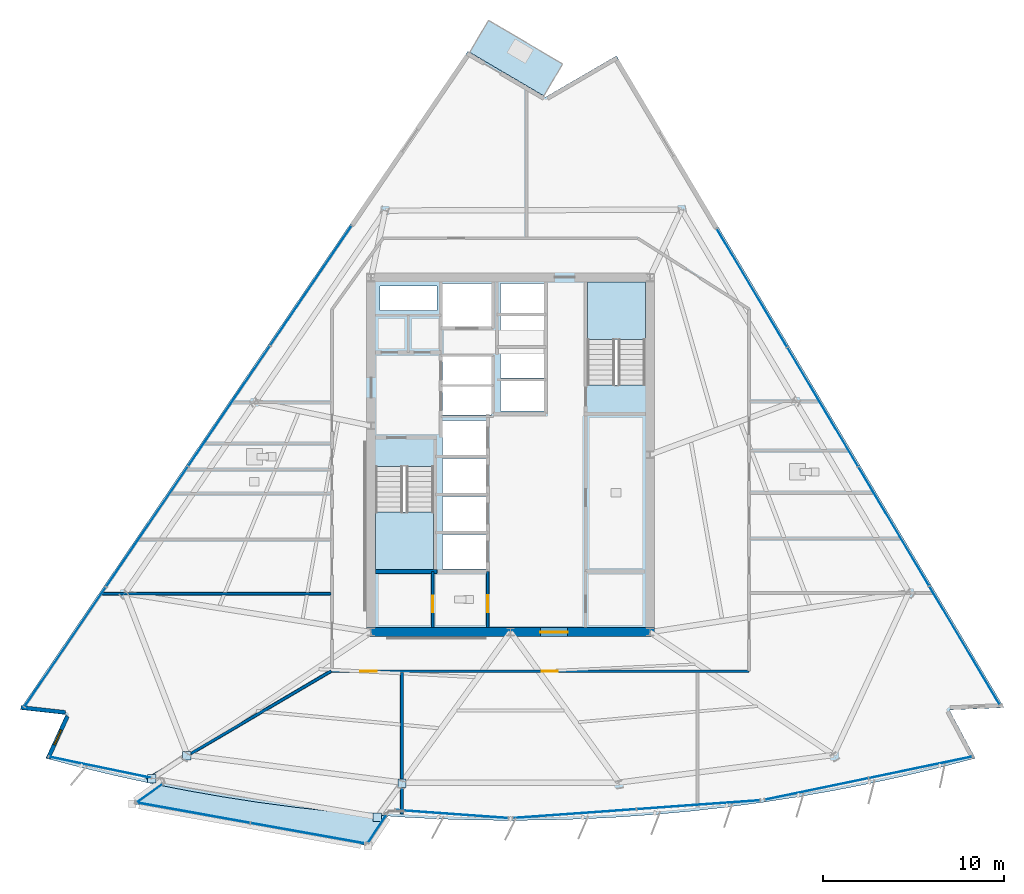
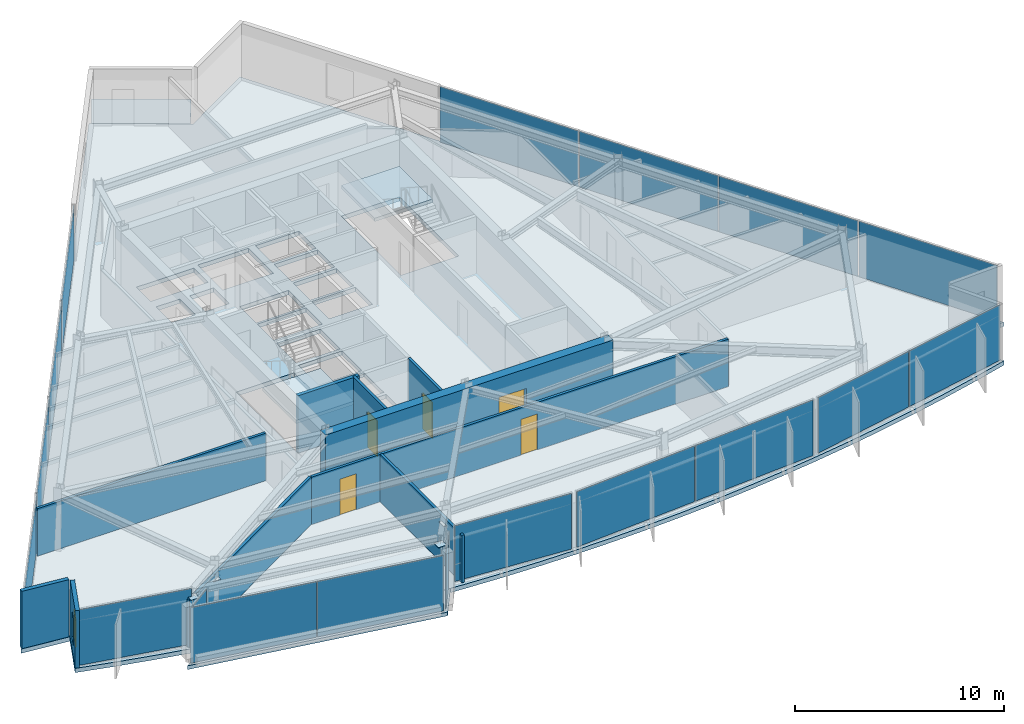
# One storey, part 8 of 16: 22 plates, 10 walls, 5 doors, 5 slabs, 1 window, 6 openings, 11 elements without a shape of their own.
"""IFC4 building model written with IfcOpenShell, lengths in metres."""

from ifc_helpers import new_model, si_unit, direction, frame, frame_2d, origin, origin_2d, place, context, subcontext, project, spatial, polyline, rectangle, outline, extrude, material, layer, layer_set, type_object, element, fill, aggregate, save


model = new_model("IFC4")

# Units and contexts
model_context = context("Model", 3, precision=1e-05, world=origin(), true_north=direction((0.0, 1.0)))
body_context = subcontext(model_context, "Body", "Model", "MODEL_VIEW")
ifc_project = project(units=[si_unit("LENGTHUNIT", "METRE"), si_unit("AREAUNIT", "SQUARE_METRE"), si_unit("VOLUMEUNIT", "CUBIC_METRE"), si_unit("PLANEANGLEUNIT", "RADIAN"), si_unit("MASSUNIT", "GRAM", prefix="KILO")], contexts=[model_context])

# Site, building, storey
site_placement = place(None, origin())
site = spatial("IfcSite", under=ifc_project, at=site_placement, CompositionType="ELEMENT")
building_placement = place(site_placement, origin())
building = spatial("IfcBuilding", under=site, at=building_placement, Name="Savorim Split Tower", CompositionType="ELEMENT")
storey_placement = place(building_placement, frame((0.0, 0.0, 149.39990234375)))
storey = spatial("IfcBuildingStorey", under=building, at=storey_placement, Name="L39", CompositionType="ELEMENT", Elevation=149.39990234375)

# Curtain wall, plate
ifc_material_1 = material(Name="Dark Ceramic-Fritted Insulated Glass", Category="glass")
curtain_wall_type_1 = type_object("IfcCurtainWallType", Name="CW-TWR-FRIT-B", PredefinedType="NOTDEFINED", material=ifc_material_1)
curtain_wall_1_placement = place(storey_placement, origin())
curtain_wall_1 = element("IfcCurtainWall", 1, at=curtain_wall_1_placement, inside=storey, type_object=curtain_wall_type_1, Name="L39 Curtain Wall CW-L39-SF1A", PredefinedType="NOTDEFINED")
ifc_layer_1 = layer(ifc_material_1, 0.02587890625)
ifc_layer_set_1 = layer_set([ifc_layer_1], Name="CWP-FRITB-26")
plate_type_1 = type_object("IfcPlateType", Name="CWP-FRITB-26", PredefinedType="CURTAIN_PANEL", material=ifc_layer_set_1)
plate_1_placement = place(storey_placement, frame((-22.677734375, -16.865478515625, 0.050048828125), z_axis=(0.0, 0.0, 1.0), x_axis=(0.979134349146, -0.203213991452, 0.0)))
plate_1 = element("IfcPlate", 2, at=plate_1_placement, type_object=plate_type_1, Name="CW-03 panel 1.1", PredefinedType="CURTAIN_PANEL", context=body_context, shape_type="SweptSolid", body=[
    extrude(rectangle(XDim=5.749755859375, YDim=0.02587890625, at=origin_2d()), origin(), (0.0, 0.0, 1.0), 3.25),
])
aggregate(curtain_wall_1, [plate_1])

curtain_wall_2_placement = place(storey_placement, origin())
curtain_wall_2 = element("IfcCurtainWall", 3, at=curtain_wall_2_placement, inside=storey, type_object=curtain_wall_type_1, Name="L39 Curtain Wall CW-L39-SF2A", PredefinedType="NOTDEFINED")
plate_2_placement = place(storey_placement, frame((-3.245361328125, -19.448486328125, 0.050048828125), z_axis=(0.0, 0.0, 1.0), x_axis=(0.99743512969, -0.071576267442, 0.0)))
plate_2 = element("IfcPlate", 4, at=plate_2_placement, type_object=plate_type_1, Name="CW-03 panel 1.1", PredefinedType="CURTAIN_PANEL", context=body_context, shape_type="SweptSolid", body=[
    extrude(rectangle(XDim=6.204833984375, YDim=0.02587890625, at=origin_2d()), origin(), (0.0, 0.0, 1.0), 3.25),
])
aggregate(curtain_wall_2, [plate_2])

# Curtain wall, plates
curtain_wall_3_placement = place(storey_placement, origin())
curtain_wall_3 = element("IfcCurtainWall", 5, at=curtain_wall_3_placement, inside=storey, type_object=curtain_wall_type_1, Name="L39 Curtain Wall CW-L39-SF3A", PredefinedType="NOTDEFINED")
plate_3_placement = place(storey_placement, frame((3.54150390625, -19.42724609375, 0.050048828125), z_axis=(0.0, 0.0, 1.0), x_axis=(0.997436100249, 0.071562741149, 0.0)))
plate_3 = element("IfcPlate", 6, at=plate_3_placement, type_object=plate_type_1, Name="CW-03 panel 1.1", PredefinedType="CURTAIN_PANEL", context=body_context, shape_type="SweptSolid", body=[
    extrude(rectangle(XDim=6.79833984375, YDim=0.02587890625, at=origin_2d()), origin(), (0.0, 0.0, 1.0), 3.25),
])
plate_4_placement = place(storey_placement, frame((10.38232421875, -18.9365234375, 0.050048828125), z_axis=(0.0, 0.0, 1.0), x_axis=(0.997436100249, 0.071562741149, 0.0)))
plate_4 = element("IfcPlate", 7, at=plate_4_placement, type_object=plate_type_1, Name="CW-03 panel 2.1", PredefinedType="CURTAIN_PANEL", context=body_context, shape_type="SweptSolid", body=[
    extrude(rectangle(XDim=6.79833984375, YDim=0.02587890625, at=origin_2d()), origin(), (0.0, 0.0, 1.0), 3.25),
])
aggregate(curtain_wall_3, [plate_3, plate_4])

curtain_wall_4_placement = place(storey_placement, origin())
curtain_wall_4 = element("IfcCurtainWall", 8, at=curtain_wall_4_placement, inside=storey, type_object=curtain_wall_type_1, Name="L39 Curtain Wall CW-L39-SF4A", PredefinedType="NOTDEFINED")
plate_5_placement = place(storey_placement, frame((16.913330078125, -18.06201171875, 0.050048828125), z_axis=(0.0, 0.0, 1.0), x_axis=(0.979134697741, 0.20321231183, 0.0)))
plate_5 = element("IfcPlate", 9, at=plate_5_placement, type_object=plate_type_1, Name="CW-03 panel 1.1", PredefinedType="CURTAIN_PANEL", context=body_context, shape_type="SweptSolid", body=[
    extrude(rectangle(XDim=5.80126953125, YDim=0.02587890625, at=origin_2d()), origin(), (0.0, 0.0, 1.0), 3.25),
])
plate_6_placement = place(storey_placement, frame((22.65234375, -16.870849609375, 0.050048828125), z_axis=(0.0, 0.0, 1.0), x_axis=(0.979134697741, 0.20321231183, 0.0)))
plate_6 = element("IfcPlate", 10, at=plate_6_placement, type_object=plate_type_1, Name="CW-03 panel 2.1", PredefinedType="CURTAIN_PANEL", context=body_context, shape_type="SweptSolid", body=[
    extrude(rectangle(XDim=5.80126953125, YDim=0.02587890625, at=origin_2d()), origin(), (0.0, 0.0, 1.0), 3.25),
])
aggregate(curtain_wall_4, [plate_5, plate_6])

curtain_wall_5_placement = place(storey_placement, origin())
curtain_wall_5 = element("IfcCurtainWall", 11, at=curtain_wall_5_placement, inside=storey, type_object=curtain_wall_type_1, Name="L39 Curtain Wall CW-L39-EAST", PredefinedType="NOTDEFINED")
plate_7_placement = place(storey_placement, frame((25.08154296875, -10.132568359375, 0.050048828125), z_axis=(0.0, 0.0, 1.0), x_axis=(-0.511091470039, 0.859526328423, 0.0)))
plate_7 = element("IfcPlate", 12, at=plate_7_placement, type_object=plate_type_1, Name="CW-03 panel 1.1", PredefinedType="CURTAIN_PANEL", context=body_context, shape_type="SweptSolid", body=[
    extrude(rectangle(XDim=7.579345703125, YDim=0.02587890625, at=origin_2d()), origin(), (0.0, 0.0, 1.0), 3.25),
])
plate_8_placement = place(storey_placement, frame((21.169677734375, -3.553466796875, 0.050048828125), z_axis=(0.0, 0.0, 1.0), x_axis=(-0.511091470039, 0.859526328423, 0.0)))
plate_8 = element("IfcPlate", 13, at=plate_8_placement, type_object=plate_type_1, Name="CW-03 panel 2.1", PredefinedType="CURTAIN_PANEL", context=body_context, shape_type="SweptSolid", body=[
    extrude(rectangle(XDim=7.609130859375, YDim=0.02587890625, at=origin_2d()), origin(), (0.0, 0.0, 1.0), 3.25),
])
plate_9_placement = place(storey_placement, frame((17.25, 3.038330078125, 0.050048828125), z_axis=(0.0, 0.0, 1.0), x_axis=(-0.511091470039, 0.859526328423, 0.0)))
plate_9 = element("IfcPlate", 14, at=plate_9_placement, type_object=plate_type_1, Name="CW-03 panel 3.1", PredefinedType="CURTAIN_PANEL", context=body_context, shape_type="SweptSolid", body=[
    extrude(rectangle(XDim=7.609130859375, YDim=0.02587890625, at=origin_2d()), origin(), (0.0, 0.0, 1.0), 3.25),
])
plate_10_placement = place(storey_placement, frame((13.337890625, 9.617431640625, 0.050048828125), z_axis=(0.0, 0.0, 1.0), x_axis=(-0.511091470039, 0.859526328423, 0.0)))
plate_10 = element("IfcPlate", 15, at=plate_10_placement, type_object=plate_type_1, Name="CW-03 panel 4.1", PredefinedType="CURTAIN_PANEL", context=body_context, shape_type="SweptSolid", body=[
    extrude(rectangle(XDim=7.579345703125, YDim=0.02587890625, at=origin_2d()), origin(), (0.0, 0.0, 1.0), 3.25),
])
aggregate(curtain_wall_5, [plate_7, plate_8, plate_9, plate_10])

curtain_wall_6_placement = place(storey_placement, origin())
curtain_wall_6 = element("IfcCurtainWall", 16, at=curtain_wall_6_placement, inside=storey, type_object=curtain_wall_type_1, Name="L39 Curtain Wall CW-L39-WEST", PredefinedType="NOTDEFINED")
plate_11_placement = place(storey_placement, frame((-11.0244140625, 9.73828125, 0.050048828125), z_axis=(0.0, 0.0, 1.0), x_axis=(-0.562466456356, -0.826820104662, 0.0)))
plate_11 = element("IfcPlate", 17, at=plate_11_placement, type_object=plate_type_1, Name="CW-03 panel 1.1", PredefinedType="CURTAIN_PANEL", context=body_context, shape_type="SweptSolid", body=[
    extrude(rectangle(XDim=7.965576171875, YDim=0.02587890625, at=origin_2d()), origin(), (0.0, 0.0, 1.0), 3.25),
])
plate_12_placement = place(storey_placement, frame((-15.547119140625, 3.090087890625, 0.050048828125), z_axis=(0.0, 0.0, 1.0), x_axis=(-0.562466456356, -0.826820104662, 0.0)))
plate_12 = element("IfcPlate", 18, at=plate_12_placement, type_object=plate_type_1, Name="CW-03 panel 2.1", PredefinedType="CURTAIN_PANEL", context=body_context, shape_type="SweptSolid", body=[
    extrude(rectangle(XDim=7.99560546875, YDim=0.02587890625, at=origin_2d()), origin(), (0.0, 0.0, 1.0), 3.25),
])
plate_13_placement = place(storey_placement, frame((-20.077880859375, -3.5703125, 0.050048828125), z_axis=(0.0, 0.0, 1.0), x_axis=(-0.562466456356, -0.826820104662, 0.0)))
plate_13 = element("IfcPlate", 19, at=plate_13_placement, type_object=plate_type_1, Name="CW-03 panel 3.1", PredefinedType="CURTAIN_PANEL", context=body_context, shape_type="SweptSolid", body=[
    extrude(rectangle(XDim=7.99560546875, YDim=0.02587890625, at=origin_2d()), origin(), (0.0, 0.0, 1.0), 3.25),
])
plate_14_placement = place(storey_placement, frame((-24.6005859375, -10.218505859375, 0.050048828125), z_axis=(0.0, 0.0, 1.0), x_axis=(-0.562466456356, -0.826820104662, 0.0)))
plate_14 = element("IfcPlate", 20, at=plate_14_placement, type_object=plate_type_1, Name="CW-03 panel 4.1", PredefinedType="CURTAIN_PANEL", context=body_context, shape_type="SweptSolid", body=[
    extrude(rectangle(XDim=7.965576171875, YDim=0.02587890625, at=origin_2d()), origin(), (0.0, 0.0, 1.0), 3.25),
])
aggregate(curtain_wall_6, [plate_11, plate_12, plate_13, plate_14])

curtain_wall_type_2 = type_object("IfcCurtainWallType", Name="CW-BAY-LOUNGE", PredefinedType="NOTDEFINED", material=ifc_material_1)
curtain_wall_7_placement = place(storey_placement, origin())
curtain_wall_7 = element("IfcCurtainWall", 21, at=curtain_wall_7_placement, inside=storey, type_object=curtain_wall_type_2, Name="L39 Curtain Wall CW-L39-BAYF", PredefinedType="NOTDEFINED")
ifc_material_2 = material(Name="Low-E Operable Double Glazing", Category="glass")
ifc_layer_2 = layer(ifc_material_2, 0.031982421875)
ifc_layer_set_2 = layer_set([ifc_layer_2], Name="CWP-POD-32")
plate_type_2 = type_object("IfcPlateType", Name="CWP-POD-32", PredefinedType="CURTAIN_PANEL", material=ifc_layer_set_2)
plate_15_placement = place(storey_placement, frame((-17.5537109375, -19.37158203125, 0.05517578125), z_axis=(0.0, 0.0, 1.0), x_axis=(0.984304905736, -0.17647620957, 0.0)))
plate_15 = element("IfcPlate", 22, at=plate_15_placement, type_object=plate_type_2, Name="CW-04 panel 1.1", PredefinedType="CURTAIN_PANEL", context=body_context, shape_type="SweptSolid", body=[
    extrude(rectangle(XDim=6.40185546875, YDim=0.031982421875, at=origin_2d()), origin(), (0.0, 0.0, 1.0), 3.239990234375),
])
plate_16_placement = place(storey_placement, frame((-11.188232421875, -20.512939453125, 0.05517578125), z_axis=(0.0, 0.0, 1.0), x_axis=(0.984304905736, -0.17647620957, 0.0)))
plate_16 = element("IfcPlate", 23, at=plate_16_placement, type_object=plate_type_2, Name="CW-04 panel 2.1", PredefinedType="CURTAIN_PANEL", context=body_context, shape_type="SweptSolid", body=[
    extrude(rectangle(XDim=6.40185546875, YDim=0.031982421875, at=origin_2d()), origin(), (0.0, 0.0, 1.0), 3.239990234375),
])
aggregate(curtain_wall_7, [plate_15, plate_16])

# Curtain wall, plate
curtain_wall_8_placement = place(storey_placement, origin())
curtain_wall_8 = element("IfcCurtainWall", 24, at=curtain_wall_8_placement, inside=storey, type_object=curtain_wall_type_2, Name="L39 Curtain Wall CW-L39-BAYW", PredefinedType="NOTDEFINED")
plate_17_placement = place(storey_placement, frame((-19.933837890625, -18.299560546875, 0.05517578125), z_axis=(0.0, 0.0, 1.0), x_axis=(-0.812564621302, -0.582871114578, 0.0)))
plate_17 = element("IfcPlate", 25, at=plate_17_placement, type_object=plate_type_2, Name="CW-04 panel 1.1", PredefinedType="CURTAIN_PANEL", context=body_context, shape_type="SweptSolid", body=[
    extrude(rectangle(XDim=1.705078125, YDim=0.031982421875, at=origin_2d()), origin(), (0.0, 0.0, 1.0), 3.239990234375),
])
aggregate(curtain_wall_8, [plate_17])

curtain_wall_9_placement = place(storey_placement, origin())
curtain_wall_9 = element("IfcCurtainWall", 26, at=curtain_wall_9_placement, inside=storey, type_object=curtain_wall_type_2, Name="L39 Curtain Wall CW-L39-BAYE", PredefinedType="NOTDEFINED")
plate_18_placement = place(storey_placement, frame((-7.36279296875, -20.26318359375, 0.05517578125), z_axis=(0.0, 0.0, 1.0), x_axis=(0.554712091952, 0.832042363731, 0.0)))
plate_18 = element("IfcPlate", 27, at=plate_18_placement, type_object=plate_type_2, Name="CW-04 panel 1.1", PredefinedType="CURTAIN_PANEL", context=body_context, shape_type="SweptSolid", body=[
    extrude(rectangle(XDim=1.809814453125, YDim=0.031982421875, at=origin_2d()), origin(), (0.0, 0.0, 1.0), 3.239990234375),
])
aggregate(curtain_wall_9, [plate_18])

# Plates
ifc_material_3 = material(Name="Steel S460", Category="steel")
ifc_layer_3 = layer(ifc_material_3, 0.02490234375)
ifc_layer_set_3 = layer_set([ifc_layer_3], Name="PLT-NODE-CN1")
plate_type_3 = type_object("IfcPlateType", Name="PLT-NODE-CN1", PredefinedType="SHEET", material=ifc_layer_set_3)
for number, where, z_axis, x_axis, name in (
    (28, (-17.88232421875, -16.2255859375, 2.437744140625), (0.0, 0.0, 1.0), (1.0, 0.0, 0.0), "L39 Bay Strut Column Gusset Plate 1"),
    (29, (-19.812744140625, -17.492919921875, 2.8076171875), (0.0, 0.0, 1.0), (1.0, 0.0, 0.0), "L39 Bay Strut Tip Gusset Plate 1"),
    (30, (-5.993408203125, -17.752197265625, 2.437744140625), (0.0, 0.0, 1.0), (1.0, 0.0, 0.0), "L39 Bay Strut Column Gusset Plate 2"),
    (31, (-7.358642578125, -19.61865234375, 2.8076171875), (0.0, 0.0, 1.0), (1.0, 0.0, 0.0), "L39 Bay Strut Tip Gusset Plate 2"),
):
    element("IfcPlate", number, at=place(storey_placement, frame(where, z_axis=z_axis, x_axis=x_axis)), inside=storey, type_object=plate_type_3, Name=name, PredefinedType="SHEET", context=body_context, shape_type="SweptSolid", body=[
        extrude(rectangle(XDim=0.4599609375, YDim=0.4599609375, at=origin_2d()), origin(), (0.0, 0.0, 1.0), 0.02490234375),
    ])

# Slabs
ifc_material_4 = material(Name="Concrete C50/60", Category="concrete")
ifc_layer_4 = layer(ifc_material_4, 0.219970703125)
ifc_layer_set_4 = layer_set([ifc_layer_4], Name="SLB-BAL-220")
slab_type_1 = type_object("IfcSlabType", Name="SLB-BAL-220", PredefinedType="FLOOR", material=ifc_layer_set_4)
slab_1_placement = place(storey_placement, frame((0.0, 0.0, -0.219970703125)))
element("IfcSlab", 32, at=slab_1_placement, inside=storey, type_object=slab_type_1, Name="L39 Cantilevered Shared Kitchen Lounge Slab", PredefinedType="FLOOR", context=body_context, shape_type="SweptSolid", body=[
    extrude(outline(polyline([(-6.774658203125, -19.561279296875), (-7.984619140625, -19.474609375), (-9.974609375, -19.291015625), (-11.960205078125, -19.06640625), (-13.94091796875, -18.801513671875), (-15.915771484375, -18.495849609375), (-17.8837890625, -18.150146484375), (-19.46337890625, -17.839111328125), (-20.904296875, -18.87255859375), (-7.873046875, -21.208984375), (-6.774658203125, -19.561279296875)])), origin(), (0.0, 0.0, 1.0), 0.219970703125),
])
slab_2_placement = place(storey_placement, frame((0.0, 0.0, -0.219970703125)))
element("IfcSlab", 33, at=slab_2_placement, inside=storey, type_object=slab_type_1, Name="L39 Notched Corner Planted Tree Balcony Slab", PredefinedType="FLOOR", context=body_context, shape_type="SweptSolid", body=[
    extrude(outline(polyline([(-2.252197265625, 22.634521484375), (1.842529296875, 20.227783203125), (2.87890625, 21.990966796875), (-1.2158203125, 24.397705078125), (-2.252197265625, 22.634521484375)])), origin(), (0.0, 0.0, 1.0), 0.219970703125),
])

# Stair, slab
stair_type = type_object("IfcStairType", Name="STR-DOG-3600", PredefinedType="HALF_TURN_STAIR", material=ifc_material_4)
stair_1_placement = place(storey_placement, origin())
stair_1 = element("IfcStair", 34, at=stair_1_placement, inside=storey, type_object=stair_type, Name="L39 Core Protected Exit Stair ST-1", PredefinedType="HALF_TURN_STAIR")
ifc_layer_5 = layer(ifc_material_4, 0.199951171875)
ifc_layer_set_5 = layer_set([ifc_layer_5], Name="SLB-LND-200")
slab_type_2 = type_object("IfcSlabType", Name="SLB-LND-200", PredefinedType="LANDING", material=ifc_layer_set_5)
slab_3_placement = place(storey_placement, frame((0.0, 0.0, 1.60009765625)))
slab_3 = element("IfcSlab", 35, at=slab_3_placement, type_object=slab_type_2, Name="ST-1 landing 1", PredefinedType="LANDING", context=body_context, shape_type="SweptSolid", body=[
    extrude(outline(polyline([(-7.449951171875, -2.77001953125), (-7.449951171875, -5.949951171875), (-4.25, -5.949951171875), (-4.25, -2.77001953125), (-7.449951171875, -2.77001953125)])), origin(), (0.0, 0.0, 1.0), 0.199951171875),
])
aggregate(stair_1, [slab_3])

stair_2_placement = place(storey_placement, origin())
stair_2 = element("IfcStair", 36, at=stair_2_placement, inside=storey, type_object=stair_type, Name="L39 Core Protected Exit Stair ST-2", PredefinedType="HALF_TURN_STAIR")
slab_4_placement = place(storey_placement, frame((0.0, 0.0, 1.60009765625)))
slab_4 = element("IfcSlab", 37, at=slab_4_placement, type_object=slab_type_2, Name="ST-2 landing 1", PredefinedType="LANDING", context=body_context, shape_type="SweptSolid", body=[
    extrude(outline(polyline([(7.449951171875, 6.77001953125), (7.449951171875, 9.949951171875), (4.25, 9.949951171875), (4.25, 6.77001953125), (7.449951171875, 6.77001953125)])), origin(), (0.0, 0.0, 1.0), 0.199951171875),
])
aggregate(stair_2, [slab_4])

# Slab
ifc_layer_6 = layer(ifc_material_4, 0.25)
ifc_layer_set_6 = layer_set([ifc_layer_6], Name="SLB-TWR-250")
slab_type_3 = type_object("IfcSlabType", Name="SLB-TWR-250", PredefinedType="FLOOR", material=ifc_layer_set_6)
slab_5_placement = place(storey_placement, frame((0.0, 0.0, -0.25)))
element("IfcSlab", 38, at=slab_5_placement, inside=storey, type_object=slab_type_3, Name="L39 Structural Floor Slab", PredefinedType="FLOOR", context=body_context, shape_type="SweptSolid", body=[
    extrude(outline(polyline([(-25.673583984375, -16.366455078125), (-23.740234375, -16.8720703125), (-21.797119140625, -17.337890625), (-19.844482421875, -17.763916015625), (-17.8837890625, -18.150146484375), (-15.915771484375, -18.495849609375), (-13.94091796875, -18.801513671875), (-11.960205078125, -19.06640625), (-9.974609375, -19.291015625), (-7.984619140625, -19.474609375), (-5.991455078125, -19.61767578125), (-3.99560546875, -19.7197265625), (-1.998291015625, -19.78125), (0.0, -19.801513671875), (1.998291015625, -19.78125), (3.99560546875, -19.7197265625), (5.991455078125, -19.61767578125), (7.984619140625, -19.474609375), (9.974609375, -19.291015625), (11.960205078125, -19.06640625), (13.94091796875, -18.801513671875), (15.915771484375, -18.495849609375), (17.8837890625, -18.150146484375), (19.844482421875, -17.763916015625), (21.797119140625, -17.337890625), (23.740234375, -16.8720703125), (25.673583984375, -16.366455078125), (24.24169921875, -13.69775390625), (27.2646484375, -13.569091796875), (5.852294921875, 22.44091796875), (1.943603515625, 20.162841796875), (-2.358154296875, 22.69091796875), (-27.097412109375, -13.675537109375), (-24.567138671875, -13.9580078125), (-25.673583984375, -16.366455078125)]), holes=[polyline([(-7.449951171875, -0.25390625), (-7.449951171875, -5.949951171875), (-4.25, -5.949951171875), (-4.25, -0.25390625), (-7.449951171875, -0.25390625)]), polyline([(7.449951171875, 4.25390625), (7.449951171875, 9.949951171875), (4.25, 9.949951171875), (4.25, 4.25390625), (7.449951171875, 4.25390625)]), polyline([(-3.75, -5.89990234375), (-1.35009765625, -5.89990234375), (-1.35009765625, -4.0), (-3.75, -4.0), (-3.75, -5.89990234375)]), polyline([(-3.75, -3.800048828125), (-1.35009765625, -3.800048828125), (-1.35009765625, -1.89990234375), (-3.75, -1.89990234375), (-3.75, -3.800048828125)]), polyline([(-3.75, -1.699951171875), (-1.35009765625, -1.699951171875), (-1.35009765625, 0.199951171875), (-3.75, 0.199951171875), (-3.75, -1.699951171875)]), polyline([(-3.75, 0.39990234375), (-1.35009765625, 0.39990234375), (-1.35009765625, 2.300048828125), (-3.75, 2.300048828125), (-3.75, 0.39990234375)]), polyline([(-0.550048828125, 2.830078125), (1.85009765625, 2.830078125), (1.85009765625, 4.469970703125), (-0.550048828125, 4.469970703125), (-0.550048828125, 2.830078125)]), polyline([(-0.550048828125, 4.6298828125), (1.85009765625, 4.6298828125), (1.85009765625, 6.27001953125), (-0.550048828125, 6.27001953125), (-0.550048828125, 4.6298828125)]), polyline([(-0.550048828125, 6.429931640625), (1.85009765625, 6.429931640625), (1.85009765625, 8.070068359375), (-0.550048828125, 8.070068359375), (-0.550048828125, 6.429931640625)]), polyline([(-0.550048828125, 8.22998046875), (1.85009765625, 8.22998046875), (1.85009765625, 9.8701171875), (-0.550048828125, 9.8701171875), (-0.550048828125, 8.22998046875)]), polyline([(-3.75, 2.60009765625), (-1.050048828125, 2.60009765625), (-1.050048828125, 4.159912109375), (-3.75, 4.159912109375), (-3.75, 2.60009765625)]), polyline([(-3.75, 4.280029296875), (-1.050048828125, 4.280029296875), (-1.050048828125, 5.840087890625), (-3.75, 5.840087890625), (-3.75, 4.280029296875)]), polyline([(-3.75, 7.449951171875), (-0.949951171875, 7.449951171875), (-0.949951171875, 9.85009765625), (-3.75, 9.85009765625), (-3.75, 7.449951171875)]), polyline([(-7.219970703125, 6.320068359375), (-5.919921875, 6.320068359375), (-5.919921875, 7.820068359375), (-7.219970703125, 7.820068359375), (-7.219970703125, 6.320068359375)]), polyline([(-5.3798828125, 6.320068359375), (-4.050048828125, 6.320068359375), (-4.050048828125, 7.820068359375), (-5.3798828125, 7.820068359375), (-5.3798828125, 6.320068359375)]), polyline([(-7.219970703125, 8.360107421875), (-4.050048828125, 8.360107421875), (-4.050048828125, 9.719970703125), (-7.219970703125, 9.719970703125), (-7.219970703125, 8.360107421875)])]), origin(), (0.0, 0.0, 1.0), 0.25),
])

# Wall, opening, door
ifc_material_5 = material(Name="Concrete C60/75", Category="concrete")
ifc_layer_7 = layer(ifc_material_5, 0.5)
ifc_layer_set_7 = layer_set([ifc_layer_7], Name="WAL-COR-SH500")
wall_type_1 = type_object("IfcWallType", Name="WAL-COR-SH500", PredefinedType="SHEAR", material=ifc_layer_set_7)
wall_1_placement = place(storey_placement, frame((-7.949951171875, -9.39990234375, 0.0), z_axis=(0.0, 0.0, 1.0), x_axis=(1.0, 0.0, 0.0)))
wall_1 = element("IfcWall", 39, at=wall_1_placement, inside=storey, type_object=wall_type_1, Name="L39 Offset Core South Shear Wall", PredefinedType="SHEAR", context=body_context, shape_type="SweptSolid", body=[
    extrude(rectangle(XDim=15.89990234375, YDim=0.5, at=frame_2d((7.949951171875, 0.0))), origin(), (0.0, 0.0, 1.0), 3.35009765625),
])
opening_1_placement = place(wall_1_placement, frame((9.60009765625, 0.0, 0.0)))
opening_1 = element("IfcOpeningElement", 40, at=opening_1_placement, cuts=wall_1, Name="Opening DI-02", PredefinedType="OPENING", context=body_context, shape_type="SweptSolid", body=[
    extrude(rectangle(XDim=1.5, YDim=2.199951171875, at=frame_2d((0.75, 1.10009765625))), frame((0.0, 0.260009765625, 0.0), z_axis=(0.0, -1.0, 0.0), x_axis=(1.0, 0.0, 0.0)), (0.0, 0.0, 1.0), 0.52001953125),
])
ifc_material_6 = material(Name="Timber Fire Door Leaf", Category="wood")
door_type_1 = type_object("IfcDoorType", Name="DOR-DBL-1500", OperationType="NOTDEFINED", PredefinedType="DOOR", material=ifc_material_6)
door_1_placement = place(opening_1_placement, origin())
door_1 = element("IfcDoor", 41, at=door_1_placement, inside=storey, type_object=door_type_1, Name="DOR-L39-COR-LLOB - L39 Lift Lobby Main Rated Door", OperationType="DOUBLE_DOOR_SINGLE_SWING", OverallHeight=2.199951171875, OverallWidth=1.5, PredefinedType="DOOR", context=body_context, shape_type="SweptSolid", body=[
    extrude(rectangle(XDim=1.5, YDim=2.199951171875, at=frame_2d((0.75, 1.10009765625))), frame((0.0, 0.02490234375, 0.0), z_axis=(0.0, -1.0, 0.0), x_axis=(1.0, 0.0, 0.0)), (0.0, 0.0, 1.0), 0.050048828125),
])
fill(opening_1, door_1)

# Wall
ifc_material_7 = material(Name="Precast concrete C40/50", Category="concrete")
ifc_layer_8 = layer(ifc_material_7, 0.219970703125)
ifc_layer_set_8 = layer_set([ifc_layer_8], Name="WAL-EXT-CRN220")
wall_type_2 = type_object("IfcWallType", Name="WAL-EXT-CRN220", PredefinedType="SOLIDWALL", material=ifc_layer_set_8)
wall_2_placement = place(storey_placement, frame((-24.593505859375, -13.83447265625, 0.0), z_axis=(0.0, 0.0, 1.0), x_axis=(-0.993823222634, 0.110974781609, 0.0)))
element("IfcWall", 42, at=wall_2_placement, inside=storey, type_object=wall_type_2, Name="L39 Notched Corner Facade Wall SW1", PredefinedType="SOLIDWALL", context=body_context, shape_type="SweptSolid", body=[
    extrude(rectangle(XDim=2.466064453125, YDim=0.219970703125, at=frame_2d((1.23291015625, 0.0))), origin(), (0.0, 0.0, 1.0), 3.35009765625),
])

# Wall, opening, window
wall_3_placement = place(storey_placement, frame((-25.5478515625, -16.380126953125, 0.0), z_axis=(0.0, 0.0, 1.0), x_axis=(0.417449299542, 0.908700215864, 0.0)))
wall_3 = element("IfcWall", 43, at=wall_3_placement, inside=storey, type_object=wall_type_2, Name="L39 Notched Corner Facade Wall SW", PredefinedType="SOLIDWALL", context=body_context, shape_type="SweptSolid", body=[
    extrude(rectangle(XDim=2.5703125, YDim=0.219970703125, at=frame_2d((1.28515625, 0.0))), origin(), (0.0, 0.0, 1.0), 3.35009765625),
])
opening_2_placement = place(wall_3_placement, frame((0.835205078125, 0.0, 0.6201171875)))
opening_2 = element("IfcOpeningElement", 44, at=opening_2_placement, cuts=wall_3, Name="Opening WN-10", PredefinedType="OPENING", context=body_context, shape_type="SweptSolid", body=[
    extrude(rectangle(XDim=0.89990234375, YDim=1.60009765625, at=frame_2d((0.449951171875, 0.800048828125))), frame((0.0, 0.119873046875, 0.0), z_axis=(0.0, -1.0, 0.0), x_axis=(1.0, 0.0, 0.0)), (0.0, 0.0, 1.0), 0.239990234375),
])
window_type = type_object("IfcWindowType", Name="WIN-TWR-900x1600", PartitioningType="SINGLE_PANEL", PredefinedType="WINDOW", material=ifc_material_2)
window_placement = place(opening_2_placement, origin())
window = element("IfcWindow", 45, at=window_placement, inside=storey, type_object=window_type, Name="L39 Operable Corner Window SW", OverallHeight=1.60009765625, OverallWidth=0.89990234375, PartitioningType="SINGLE_PANEL", PredefinedType="WINDOW", context=body_context, shape_type="SweptSolid", body=[
    extrude(rectangle(XDim=0.89990234375, YDim=1.60009765625, at=frame_2d((0.449951171875, 0.800048828125))), frame((0.0, 0.030029296875, 0.0), z_axis=(0.0, -1.0, 0.0), x_axis=(1.0, 0.0, 0.0)), (0.0, 0.0, 1.0), 0.06005859375),
])
fill(opening_2, window)

# Wall
ifc_layer_9 = layer(ifc_material_4, 0.199951171875)
ifc_layer_set_9 = layer_set([ifc_layer_9], Name="WAL-INT-RC200")
wall_type_3 = type_object("IfcWallType", Name="WAL-INT-RC200", PredefinedType="SOLIDWALL", material=ifc_layer_set_9)
wall_4_placement = place(storey_placement, frame((-7.449951171875, -6.050048828125, 0.0), z_axis=(0.0, 0.0, 1.0), x_axis=(1.0, 0.0, 0.0)))
element("IfcWall", 46, at=wall_4_placement, inside=storey, type_object=wall_type_3, Name="L39 Structural Shaft Wall W-L39-KSEP-W", PredefinedType="SOLIDWALL", context=body_context, shape_type="SweptSolid", body=[
    extrude(rectangle(XDim=3.39990234375, YDim=0.199951171875, at=frame_2d((1.699951171875, 0.0))), origin(), (0.0, 0.0, 1.0), 3.35009765625),
])

# Wall, opening, door
ifc_material_8 = material(Name="Acoustic Gypsum Partition Board")
ifc_layer_10 = layer(ifc_material_8, 0.14990234375)
ifc_layer_set_10 = layer_set([ifc_layer_10], Name="WAL-PAR-150")
wall_type_4 = type_object("IfcWallType", Name="WAL-PAR-150", PredefinedType="PARTITIONING", material=ifc_layer_set_10)
wall_5_placement = place(storey_placement, frame((-1.25, -9.14501953125, 0.0), z_axis=(0.0, 0.0, 1.0), x_axis=(0.0, 1.0, 0.0)))
wall_5 = element("IfcWall", 47, at=wall_5_placement, inside=storey, type_object=wall_type_4, Name="L39 Partition W-L39-KLOB-W", PredefinedType="PARTITIONING", context=body_context, shape_type="SweptSolid", body=[
    extrude(rectangle(XDim=3.094970703125, YDim=0.14990234375, at=frame_2d((1.54736328125, 0.0))), origin(), (0.0, 0.0, 1.0), 3.35009765625),
])
opening_3_placement = place(wall_5_placement, frame((0.844970703125, 0.0, 0.0)))
opening_3 = element("IfcOpeningElement", 48, at=opening_3_placement, cuts=wall_5, Name="Opening DI-10", PredefinedType="OPENING", context=body_context, shape_type="SweptSolid", body=[
    extrude(rectangle(XDim=0.949951171875, YDim=2.10009765625, at=frame_2d((0.47509765625, 1.050048828125))), frame((0.0, 0.0849609375, 0.0), z_axis=(0.0, -1.0, 0.0), x_axis=(1.0, 0.0, 0.0)), (0.0, 0.0, 1.0), 0.169921875),
])
ifc_material_9 = material(Name="Oak Veneer Acoustic Door")
door_type_2 = type_object("IfcDoorType", Name="DOR-WC-950", OperationType="NOTDEFINED", PredefinedType="DOOR", material=ifc_material_9)
door_2_placement = place(opening_3_placement, origin())
door_2 = element("IfcDoor", 49, at=door_2_placement, inside=storey, type_object=door_type_2, Name="DR-L39-K1WC - L39 Core Accessible WC Door", OperationType="SINGLE_SWING_LEFT", OverallHeight=2.10009765625, OverallWidth=0.949951171875, PredefinedType="DOOR", context=body_context, shape_type="SweptSolid", body=[
    extrude(rectangle(XDim=0.949951171875, YDim=2.10009765625, at=frame_2d((0.47509765625, 1.050048828125))), frame((0.0, 0.02490234375, 0.0), z_axis=(0.0, -1.0, 0.0), x_axis=(1.0, 0.0, 0.0)), (0.0, 0.0, 1.0), 0.050048828125),
])
fill(opening_3, door_2)

wall_6_placement = place(storey_placement, frame((-4.300048828125, -9.14501953125, 0.0), z_axis=(0.0, 0.0, 1.0), x_axis=(0.0, 1.0, 0.0)))
wall_6 = element("IfcWall", 50, at=wall_6_placement, inside=storey, type_object=wall_type_4, Name="L39 Partition W-L39-K1W", PredefinedType="PARTITIONING", context=body_context, shape_type="SweptSolid", body=[
    extrude(rectangle(XDim=3.094970703125, YDim=0.14990234375, at=frame_2d((1.54736328125, 0.0))), origin(), (0.0, 0.0, 1.0), 3.35009765625),
])
opening_4_placement = place(wall_6_placement, frame((0.844970703125, 0.0, 0.0)))
opening_4 = element("IfcOpeningElement", 51, at=opening_4_placement, cuts=wall_6, Name="Opening DI-06", PredefinedType="OPENING", context=body_context, shape_type="SweptSolid", body=[
    extrude(rectangle(XDim=0.89990234375, YDim=2.10009765625, at=frame_2d((0.449951171875, 1.050048828125))), frame((0.0, 0.0849609375, 0.0), z_axis=(0.0, -1.0, 0.0), x_axis=(1.0, 0.0, 0.0)), (0.0, 0.0, 1.0), 0.169921875),
])
door_type_3 = type_object("IfcDoorType", Name="DOR-FIR-900", OperationType="NOTDEFINED", PredefinedType="DOOR", material=ifc_material_6)
door_3_placement = place(opening_4_placement, origin())
door_3 = element("IfcDoor", 52, at=door_3_placement, inside=storey, type_object=door_type_3, Name="DR-L39-K1HK - L39 Housekeeping Store Door", OperationType="SINGLE_SWING_RIGHT", OverallHeight=2.10009765625, OverallWidth=0.89990234375, PredefinedType="DOOR", context=body_context, shape_type="SweptSolid", body=[
    extrude(rectangle(XDim=0.89990234375, YDim=2.10009765625, at=frame_2d((0.449951171875, 1.050048828125))), frame((0.0, 0.02490234375, 0.0), z_axis=(0.0, -1.0, 0.0), x_axis=(1.0, 0.0, 0.0)), (0.0, 0.0, 1.0), 0.050048828125),
])
fill(opening_4, door_3)

# Wall, openings, doors
wall_7_placement = place(storey_placement, frame((13.179931640625, -11.56005859375, 0.0), z_axis=(0.0, 0.0, 1.0), x_axis=(-1.0, 0.0, 0.0)))
wall_7 = element("IfcWall", 53, at=wall_7_placement, inside=storey, type_object=wall_type_4, Name="L39 Partition W-L39-COR-06", PredefinedType="PARTITIONING", context=body_context, shape_type="SweptSolid", body=[
    extrude(rectangle(XDim=23.0400390625, YDim=0.14990234375, at=frame_2d((11.52001953125, 0.0))), origin(), (0.0, 0.0, 1.0), 2.775146484375),
])
opening_5_placement = place(wall_7_placement, frame((20.56982421875, 0.0, 0.0)))
opening_5 = element("IfcOpeningElement", 54, at=opening_5_placement, cuts=wall_7, Name="Opening DI-06", PredefinedType="OPENING", context=body_context, shape_type="SweptSolid", body=[
    extrude(rectangle(XDim=0.89990234375, YDim=2.10009765625, at=frame_2d((0.449951171875, 1.050048828125))), frame((0.0, 0.0849609375, 0.0), z_axis=(0.0, -1.0, 0.0), x_axis=(1.0, 0.0, 0.0)), (0.0, 0.0, 1.0), 0.169921875),
])
opening_6_placement = place(wall_7_placement, frame((10.562744140625, 0.0, 0.0)))
opening_6 = element("IfcOpeningElement", 55, at=opening_6_placement, cuts=wall_7, Name="Opening DI-06", PredefinedType="OPENING", context=body_context, shape_type="SweptSolid", body=[
    extrude(rectangle(XDim=0.89990234375, YDim=2.10009765625, at=frame_2d((0.449951171875, 1.050048828125))), frame((0.0, 0.0849609375, 0.0), z_axis=(0.0, -1.0, 0.0), x_axis=(1.0, 0.0, 0.0)), (0.0, 0.0, 1.0), 0.169921875),
])
door_4_placement = place(opening_5_placement, origin())
door_4 = element("IfcDoor", 56, at=door_4_placement, inside=storey, type_object=door_type_3, Name="DR-L39-RM06 - L39 Co-Working Commons Entry Door", OperationType="SINGLE_SWING_LEFT", OverallHeight=2.10009765625, OverallWidth=0.89990234375, PredefinedType="DOOR", context=body_context, shape_type="SweptSolid", body=[
    extrude(rectangle(XDim=0.89990234375, YDim=2.10009765625, at=frame_2d((0.449951171875, 1.050048828125))), frame((0.0, 0.02490234375, 0.0), z_axis=(0.0, -1.0, 0.0), x_axis=(1.0, 0.0, 0.0)), (0.0, 0.0, 1.0), 0.050048828125),
])
fill(opening_5, door_4)
door_5_placement = place(opening_6_placement, origin())
door_5 = element("IfcDoor", 57, at=door_5_placement, inside=storey, type_object=door_type_3, Name="DR-L39-RM07 - L39 Co-Working Commons Entry Door", OperationType="SINGLE_SWING_RIGHT", OverallHeight=2.10009765625, OverallWidth=0.89990234375, PredefinedType="DOOR", context=body_context, shape_type="SweptSolid", body=[
    extrude(rectangle(XDim=0.89990234375, YDim=2.10009765625, at=frame_2d((0.449951171875, 1.050048828125))), frame((0.0, 0.02490234375, 0.0), z_axis=(0.0, -1.0, 0.0), x_axis=(1.0, 0.0, 0.0)), (0.0, 0.0, 1.0), 0.050048828125),
])
fill(opening_6, door_5)

# Walls
wall_8_placement = place(storey_placement, frame((-9.9033203125, -11.5458984375, 0.0), z_axis=(0.0, 0.0, 1.0), x_axis=(-0.861918279973, -0.507047215403, 0.0)))
element("IfcWall", 58, at=wall_8_placement, inside=storey, type_object=wall_type_4, Name="L39 Partition W-L39-PRAD01", PredefinedType="PARTITIONING", context=body_context, shape_type="SweptSolid", body=[
    extrude(rectangle(XDim=11.81591796875, YDim=0.14990234375, at=frame_2d((5.907958984375, 0.0))), origin(), (0.0, 0.0, 1.0), 2.775146484375),
])
wall_9_placement = place(storey_placement, frame((-5.997802734375, -11.6201171875, 0.0), z_axis=(0.0, 0.0, 1.0), x_axis=(0.0, -1.0, 0.0)))
element("IfcWall", 59, at=wall_9_placement, inside=storey, type_object=wall_type_4, Name="L39 Partition W-L39-PRAD02", PredefinedType="PARTITIONING", context=body_context, shape_type="SweptSolid", body=[
    extrude(rectangle(XDim=7.82666015625, YDim=0.14990234375, at=frame_2d((3.913330078125, 0.0))), origin(), (0.0, 0.0, 1.0), 2.775146484375),
])
wall_10_placement = place(storey_placement, frame((-9.919921875, -7.28564453125, 0.0), z_axis=(0.0, 0.0, 1.0), x_axis=(-1.0, 0.0, 0.0)))
element("IfcWall", 60, at=wall_10_placement, inside=storey, type_object=wall_type_4, Name="L39 Partition W-L39-PRAD10", PredefinedType="PARTITIONING", context=body_context, shape_type="SweptSolid", body=[
    extrude(rectangle(XDim=12.625, YDim=0.14990234375, at=frame_2d((6.3125, 0.0))), origin(), (0.0, 0.0, 1.0), 2.775146484375),
])

save(model, "model.ifc")
